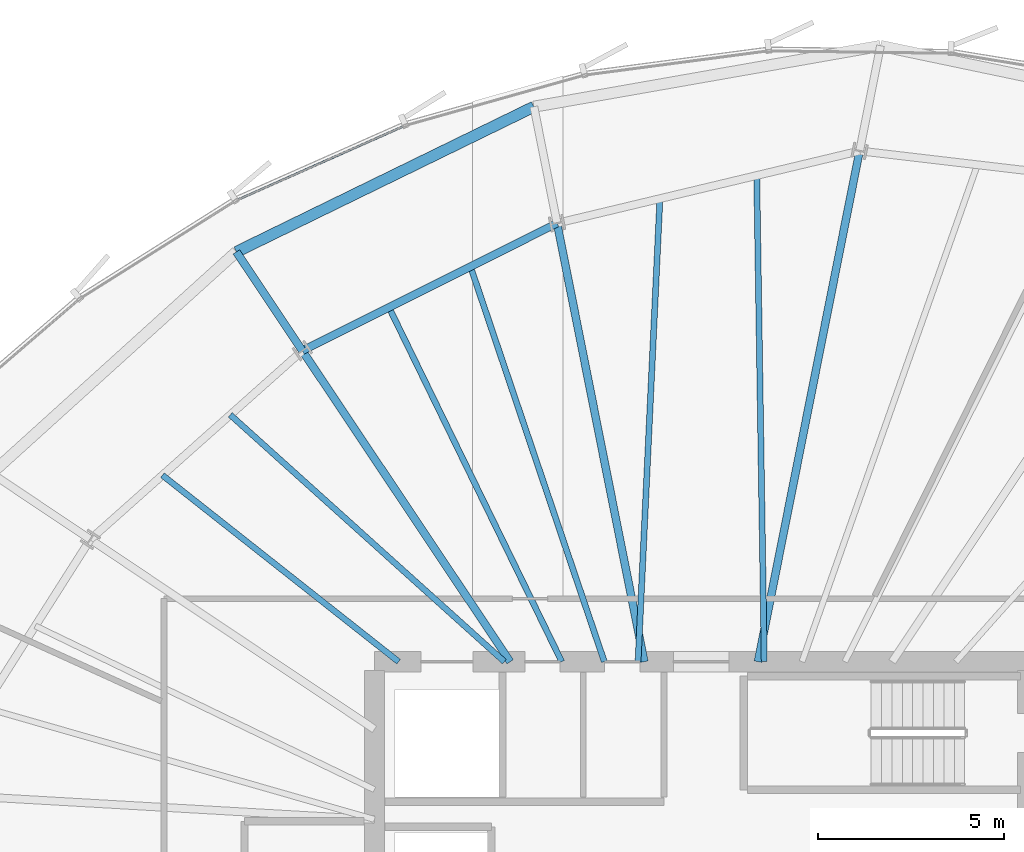
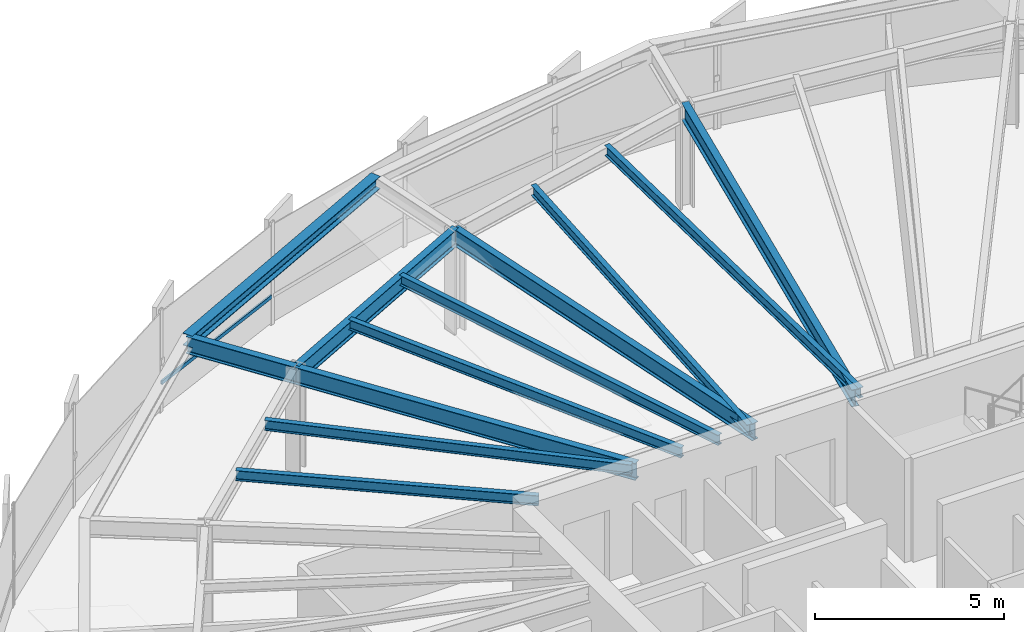
# One storey, part 20 of 33: 12 beams, 1 member, 1 element without a shape of its own.
"""IFC4 building model written with IfcOpenShell, lengths in metres."""

import ifcopenshell
import ifcopenshell.guid

model = None  # the IFC model being written
_history = None  # IfcOwnerHistory: only IFC2X3 demands one
_inside = {}  # id of a spatial element -> (the spatial element, [elements in it])
_under = {}  # id of a project, library or spatial element -> (it, [spatial elements below it])
_declared = {}  # id of a project -> (the project, [libraries it declares])
_typed = {}  # id of a type object -> (the type object, [elements of that type])
_made_of = {}  # id of a material, layer set ... -> (it, [elements and type objects made of it])


def new_model(schema):
    """Start an empty IFC model of exactly this schema.

    Asked for "IFC4X3", IfcOpenShell would pick the latest addendum, in which some entities
    have other attributes; the version numbers below select the first issue.
    IFC2X3 requires an IfcOwnerHistory on every rooted entity: one is made here for all.
    """
    global model, _history
    if schema == "IFC4X3":
        model = ifcopenshell.file(schema_version=(4, 3, 0, 0))
    else:
        model = ifcopenshell.file(schema=schema)
    _inside.clear()
    _under.clear()
    _declared.clear()
    _typed.clear()
    _made_of.clear()
    _history = None
    if model.schema == "IFC2X3":
        org = make("IfcOrganization", Name="unknown")
        user = make(
            "IfcPersonAndOrganization",
            ThePerson=make("IfcPerson", FamilyName="unknown"),
            TheOrganization=org,
        )
        app = make(
            "IfcApplication",
            ApplicationDeveloper=org,
            Version="unknown",
            ApplicationFullName="unknown",
            ApplicationIdentifier="unknown",
        )
        _history = make(
            "IfcOwnerHistory",
            OwningUser=user,
            OwningApplication=app,
            ChangeAction="ADDED",
            CreationDate=0,
        )
    return model


def make(cls, **values):
    """One entity of the class cls with the attributes given. An attribute that is None is left unset."""
    return model.create_entity(
        cls, **{name: value for name, value in values.items() if value is not None}
    )


def rooted(cls, **values):
    """An entity with a GlobalId (a new one), such as an element, a storey or a relation."""
    return make(cls, GlobalId=ifcopenshell.guid.new(), OwnerHistory=_history, **values)


def si_unit(unit_type, name, prefix=None):
    """IfcSIUnit, for example si_unit("LENGTHUNIT", "METRE", prefix="MILLI")."""
    return make("IfcSIUnit", UnitType=unit_type, Prefix=prefix, Name=name)


def assignment(units):
    """IfcUnitAssignment: the units of a project."""
    return None if units is None else make("IfcUnitAssignment", Units=units)


def point(xyz):
    """IfcCartesianPoint."""
    return None if xyz is None else make("IfcCartesianPoint", Coordinates=xyz)


def direction(xyz):
    """IfcDirection."""
    return None if xyz is None else make("IfcDirection", DirectionRatios=xyz)


def frame(location, z_axis=None, x_axis=None):
    """IfcAxis2Placement3D, a coordinate frame: its origin and axes. An axis left out is left unset."""
    return make(
        "IfcAxis2Placement3D",
        Location=point(location),
        Axis=direction(z_axis),
        RefDirection=direction(x_axis),
    )


def frame_2d(location, x_axis=None):
    """IfcAxis2Placement2D, a coordinate frame in the plane: its origin and x axis."""
    return make(
        "IfcAxis2Placement2D", Location=point(location), RefDirection=direction(x_axis)
    )


def origin():
    """The frame at (0, 0, 0) with its axes left unset."""
    return frame((0.0, 0.0, 0.0))


def origin_2d():
    """The frame at (0, 0) in the plane with its x axis left unset."""
    return frame_2d((0.0, 0.0))


def place(relative_to, where):
    """IfcLocalPlacement: puts the frame where relative to a parent placement (None: the world)."""
    return make(
        "IfcLocalPlacement", PlacementRelTo=relative_to, RelativePlacement=where
    )


def context(
    kind, dimensions, precision=None, world=None, true_north=None, identifier=None
):
    """IfcGeometricRepresentationContext, for example the 3D "Model" context."""
    return make(
        "IfcGeometricRepresentationContext",
        ContextIdentifier=identifier,
        ContextType=kind,
        CoordinateSpaceDimension=dimensions,
        Precision=precision,
        WorldCoordinateSystem=world,
        TrueNorth=true_north,
    )


def subcontext(parent, identifier, kind, view, scale=None):
    """IfcGeometricRepresentationSubContext, for example "Body" below "Model"."""
    return make(
        "IfcGeometricRepresentationSubContext",
        ContextIdentifier=identifier,
        ContextType=kind,
        ParentContext=parent,
        TargetScale=scale,
        TargetView=view,
    )


def project(units=None, contexts=None):
    """IfcProject with its units and contexts."""
    return rooted(
        "IfcProject",
        Name="project",
        RepresentationContexts=contexts,
        UnitsInContext=assignment(units),
    )


def spatial(cls, under=None, at=None, **own):
    """A site, building, storey or space (cls), placed at a placement, below another one or the project."""
    s = rooted(cls, ObjectPlacement=at, **own)
    if under is not None:
        _under.setdefault(under.id(), (under, []))[1].append(s)
    return s


def profile(cls, at=None, kind="AREA", **sizes):
    """A parametric profile (cls). Its sizes go by their IFC names, for example OverallWidth=200.0."""
    return make(cls, ProfileType=kind, Position=at, **sizes)


def hollow_rectangle(**sizes):
    """IfcRectangleHollowProfileDef."""
    return profile("IfcRectangleHollowProfileDef", **sizes)


def i_section(**sizes):
    """IfcIShapeProfileDef."""
    return profile("IfcIShapeProfileDef", **sizes)


def extrude(swept, where, along, depth):
    """IfcExtrudedAreaSolid: the profile swept, set in the frame where, extruded along a direction by depth."""
    return make(
        "IfcExtrudedAreaSolid",
        SweptArea=swept,
        Position=where,
        ExtrudedDirection=direction(along),
        Depth=depth,
    )


def shape(context_of_items, identifier, shape_type, items):
    """IfcShapeRepresentation: the items that make up one representation, for example the "Body"."""
    return make(
        "IfcShapeRepresentation",
        ContextOfItems=context_of_items,
        RepresentationIdentifier=identifier,
        RepresentationType=shape_type,
        Items=items,
    )


def source(mapping_origin, context_of_items, identifier, shape_type, items):
    """IfcRepresentationMap: a shape defined once, which mapped items show again and again."""
    return make(
        "IfcRepresentationMap",
        MappingOrigin=mapping_origin,
        MappedRepresentation=shape(context_of_items, identifier, shape_type, items),
    )


def transform(
    local_origin,
    x_axis=None,
    y_axis=None,
    z_axis=None,
    scale=None,
    scale2=None,
    scale3=None,
    uniform=True,
):
    """IfcCartesianTransformationOperator3D, or its non-uniform kind. x_axis, y_axis, z_axis: its Axis1, 2, 3."""
    if uniform:
        return make(
            "IfcCartesianTransformationOperator3D",
            Axis1=direction(x_axis),
            Axis2=direction(y_axis),
            LocalOrigin=point(local_origin),
            Scale=scale,
            Axis3=direction(z_axis),
        )
    return make(
        "IfcCartesianTransformationOperator3DnonUniform",
        Axis1=direction(x_axis),
        Axis2=direction(y_axis),
        LocalOrigin=point(local_origin),
        Scale=scale,
        Axis3=direction(z_axis),
        Scale2=scale2,
        Scale3=scale3,
    )


def mapped(mapping_source, mapping_target):
    """IfcMappedItem: shows the shape of a source again, moved by a transform."""
    return make(
        "IfcMappedItem", MappingSource=mapping_source, MappingTarget=mapping_target
    )


def material(Name=None, Category=None):
    """IfcMaterial."""
    return make("IfcMaterial", Name=Name, Category=Category)


def layer(
    of_material, thickness, ventilated=None, Name=None, Category=None, Priority=None
):
    """IfcMaterialLayer: one layer of a wall or slab, of a material (None: an air gap)."""
    return make(
        "IfcMaterialLayer",
        Material=of_material,
        LayerThickness=thickness,
        IsVentilated=ventilated,
        Name=Name,
        Category=Category,
        Priority=Priority,
    )


def layer_set(layers, Name=None):
    """IfcMaterialLayerSet."""
    return make("IfcMaterialLayerSet", MaterialLayers=layers, LayerSetName=Name)


def material_profile(
    of_material, cross_section, Name=None, Category=None, Priority=None
):
    """IfcMaterialProfile: a cross section and its material."""
    return make(
        "IfcMaterialProfile",
        Name=Name,
        Material=of_material,
        Profile=cross_section,
        Priority=Priority,
        Category=Category,
    )


def profile_set(profiles, Name=None, composite=None):
    """IfcMaterialProfileSet."""
    return make(
        "IfcMaterialProfileSet",
        Name=Name,
        MaterialProfiles=profiles,
        CompositeProfile=composite,
    )


def made_of(thing, what):
    """Note that an element or type object is made of a material, layer set ...; save() writes the relation."""
    if what is not None:
        _made_of.setdefault(what.id(), (what, []))[1].append(thing)
    return thing


def type_object(cls, material=None, **own):
    """A type object (cls), such as IfcWallType, which elements share."""
    return made_of(rooted(cls, **own), material)


def element(
    cls,
    number,
    at=None,
    inside=None,
    cuts=None,
    type_object=None,
    material=None,
    context=None,
    identifier="Body",
    shape_type=None,
    held_by="IfcProductDefinitionShape",
    body=None,
    shapes=None,
    **own,
):
    """One element of the class cls, such as IfcWall. Its Tag is "e" and its number.

    at: its placement. inside: the storey or other place that contains it. cuts: it is an
    opening in that element (IfcRelVoidsElement). A single representation is given by context,
    identifier, shape_type and body (its items); several are given by shapes. held_by: the class
    of the entity that holds the representations. save() writes the other relations.
    """
    e = rooted(cls, Tag="e%d" % number, ObjectPlacement=at, **own)
    if body is not None:
        shapes = [shape(context, identifier, shape_type, body)]
    if shapes is not None:
        e.Representation = make(held_by, Representations=shapes)
    if inside is not None:
        _inside.setdefault(inside.id(), (inside, []))[1].append(e)
    if cuts is not None:
        rooted(
            "IfcRelVoidsElement", RelatingBuildingElement=cuts, RelatedOpeningElement=e
        )
    if type_object is not None:
        _typed.setdefault(type_object.id(), (type_object, []))[1].append(e)
    return made_of(e, material)


def aggregate(whole, parts):
    """IfcRelAggregates: a whole, such as a stair, and the parts it consists of."""
    return rooted("IfcRelAggregates", RelatingObject=whole, RelatedObjects=parts)


def save(model, path):
    """Write the relations noted so far, then the file.

    IfcRelAggregates (storeys below a building ...), IfcRelContainedInSpatialStructure (elements
    in a storey), IfcRelDefinesByType, IfcRelAssociatesMaterial and IfcRelDeclares: one each for
    every whole, place, type object, material and project.
    """
    for whole, parts in _under.values():
        aggregate(whole, parts)
    for where, things in _inside.values():
        rooted(
            "IfcRelContainedInSpatialStructure",
            RelatedElements=things,
            RelatingStructure=where,
        )
    for kind, things in _typed.values():
        rooted("IfcRelDefinesByType", RelatedObjects=things, RelatingType=kind)
    for what, things in _made_of.values():
        rooted("IfcRelAssociatesMaterial", RelatedObjects=things, RelatingMaterial=what)
    for by, libraries in _declared.values():
        rooted("IfcRelDeclares", RelatingContext=by, RelatedDefinitions=libraries)
    model.write(path)


model = new_model("IFC4")

# Units and contexts
model_context = context("Model", 3, precision=1e-05, world=origin(), true_north=direction((0.0, 1.0)))
body_context = subcontext(model_context, "Body", "Model", "MODEL_VIEW")
ifc_project = project(units=[si_unit("LENGTHUNIT", "METRE"), si_unit("AREAUNIT", "SQUARE_METRE"), si_unit("VOLUMEUNIT", "CUBIC_METRE"), si_unit("PLANEANGLEUNIT", "RADIAN"), si_unit("MASSUNIT", "GRAM", prefix="KILO"), si_unit("THERMODYNAMICTEMPERATUREUNIT", "KELVIN")], contexts=[model_context])

# Site, building, storey
site_placement = place(None, origin())
site = spatial("IfcSite", under=ifc_project, at=site_placement, CompositionType="ELEMENT")
building_placement = place(site_placement, origin())
building = spatial("IfcBuilding", under=site, at=building_placement, Name="Kethvar Cultural Tower", CompositionType="ELEMENT")
storey_placement = place(building_placement, frame((0.0, 0.0, 114.39990234375)))
storey = spatial("IfcBuildingStorey", under=building, at=storey_placement, Name="L28", CompositionType="ELEMENT", Elevation=114.39990234375)

# Beams
ifc_material_1 = material(Name="Steel S355J2", Category="steel")
ifc_material_profile_1 = material_profile(ifc_material_1, i_section(OverallWidth=0.2099609375, OverallDepth=0.550048828125, WebThickness=0.010986328125, FlangeThickness=0.01708984375, FilletRadius=0.02392578125, at=origin_2d()), Name="Steel S355J2 — IPE550")
ifc_profile_set_1 = profile_set([ifc_material_profile_1], Name="Steel S355J2 — IPE550")
beam_type_1 = type_object("IfcBeamType", Name="BM-IPE550", PredefinedType="BEAM", material=ifc_profile_set_1)
shared_shape_1 = source(origin(), body_context, "Body", "SweptSolid", [
    extrude(i_section(OverallWidth=0.2099609375, OverallDepth=0.550048828125, WebThickness=0.010986328125, FlangeThickness=0.01708984375, FilletRadius=0.02392578125, at=origin_2d()), origin(), (0.0, 0.0, 1.0), 3.2001953125),
])
beam_1_placement = place(storey_placement, frame((36.0576171875, 43.877197265625, 3.072998046875), z_axis=(-0.555544970406, 0.831486491686, 0.0), x_axis=(-0.831486491686, -0.555544970406, 0.0)))
element("IfcBeam", 1, at=beam_1_placement, inside=storey, type_object=beam_type_1, Name="L28 Perimeter Cantilever Beam RC-06", PredefinedType="BEAM", context=body_context, shape_type="MappedRepresentation", body=[
    mapped(shared_shape_1, transform((0.0, 0.0, 0.0), scale=1.0)),
])
shared_shape_2 = source(origin(), body_context, "Body", "SweptSolid", [
    extrude(i_section(OverallWidth=0.2099609375, OverallDepth=0.550048828125, WebThickness=0.010986328125, FlangeThickness=0.01708984375, FilletRadius=0.02392578125, at=origin_2d()), origin(), (0.0, 0.0, 1.0), 14.02880859375),
])
beam_2_placement = place(storey_placement, frame((48.33154296875, 35.5, 3.072998046875), z_axis=(0.195101986683, 0.980782960085, 0.0), x_axis=(-0.980782960085, 0.195101986683, 0.0)))
element("IfcBeam", 2, at=beam_2_placement, inside=storey, type_object=beam_type_1, Name="L28 Primary Radial Beam RB-04", PredefinedType="BEAM", context=body_context, shape_type="MappedRepresentation", body=[
    mapped(shared_shape_2, transform((0.0, 0.0, 0.0), scale=1.0)),
])
shared_shape_3 = source(origin(), body_context, "Body", "SweptSolid", [
    extrude(i_section(OverallWidth=0.2099609375, OverallDepth=0.550048828125, WebThickness=0.010986328125, FlangeThickness=0.01708984375, FilletRadius=0.02392578125, at=origin_2d()), origin(), (0.0, 0.0, 1.0), 12.042724609375),
])
beam_3_placement = place(storey_placement, frame((45.268310546875, 35.5, 3.072998046875), z_axis=(-0.195086784047, 0.980785984142, 0.0), x_axis=(-0.980785984142, -0.195086784047, 0.0)))
element("IfcBeam", 3, at=beam_3_placement, inside=storey, type_object=beam_type_1, Name="L28 Primary Radial Beam RB-05", PredefinedType="BEAM", context=body_context, shape_type="MappedRepresentation", body=[
    mapped(shared_shape_3, transform((0.0, 0.0, 0.0), scale=1.0)),
])
shared_shape_4 = source(origin(), body_context, "Body", "SweptSolid", [
    extrude(i_section(OverallWidth=0.2099609375, OverallDepth=0.550048828125, WebThickness=0.010986328125, FlangeThickness=0.01708984375, FilletRadius=0.02392578125, at=origin_2d()), origin(), (0.0, 0.0, 1.0), 10.0751953125),
])
beam_4_placement = place(storey_placement, frame((41.655029296875, 35.5, 3.072998046875), z_axis=(-0.555566654614, 0.831472003305, 0.0), x_axis=(-0.831472003305, -0.555566654614, 0.0)))
element("IfcBeam", 4, at=beam_4_placement, inside=storey, type_object=beam_type_1, Name="L28 Primary Radial Beam RB-06", PredefinedType="BEAM", context=body_context, shape_type="MappedRepresentation", body=[
    mapped(shared_shape_4, transform((0.0, 0.0, 0.0), scale=1.0)),
])
ifc_material_profile_2 = material_profile(ifc_material_1, i_section(OverallWidth=0.159912109375, OverallDepth=0.330078125, WebThickness=0.007568359375, FlangeThickness=0.011474609375, FilletRadius=0.01806640625, at=origin_2d()), Name="Steel S355J2 — IPE330")
ifc_profile_set_2 = profile_set([ifc_material_profile_2], Name="Steel S355J2 — IPE330")
beam_type_2 = type_object("IfcBeamType", Name="BM-J330", PredefinedType="JOIST", material=ifc_profile_set_2)
shared_shape_5 = source(origin(), body_context, "Body", "SweptSolid", [
    extrude(i_section(OverallWidth=0.159912109375, OverallDepth=0.330078125, WebThickness=0.007568359375, FlangeThickness=0.011474609375, FilletRadius=0.01806640625, at=origin_2d()), origin(), (0.0, 0.0, 1.0), 13.098388671875),
])
beam_5_placement = place(storey_placement, frame((48.5, 35.5, 3.18310546875), z_axis=(-0.015451599057, 0.999880616917, 0.0), x_axis=(-0.999880616917, -0.015451599057, 0.0)))
element("IfcBeam", 5, at=beam_5_placement, inside=storey, type_object=beam_type_2, Name="L28 Composite Floor Joist J-04A", PredefinedType="JOIST", context=body_context, shape_type="MappedRepresentation", body=[
    mapped(shared_shape_5, transform((0.0, 0.0, 0.0), scale=1.0)),
])
shared_shape_6 = source(origin(), body_context, "Body", "SweptSolid", [
    extrude(i_section(OverallWidth=0.159912109375, OverallDepth=0.330078125, WebThickness=0.007568359375, FlangeThickness=0.011474609375, FilletRadius=0.01806640625, at=origin_2d()), origin(), (0.0, 0.0, 1.0), 12.487548828125),
])
beam_6_placement = place(storey_placement, frame((45.10009765625, 35.5, 3.18310546875), z_axis=(0.047214958818, 0.998884751943, 0.0), x_axis=(-0.998884751943, 0.047214958818, 0.0)))
element("IfcBeam", 6, at=beam_6_placement, inside=storey, type_object=beam_type_2, Name="L28 Composite Floor Joist J-04B", PredefinedType="JOIST", context=body_context, shape_type="MappedRepresentation", body=[
    mapped(shared_shape_6, transform((0.0, 0.0, 0.0), scale=1.0)),
])
shared_shape_7 = source(origin(), body_context, "Body", "SweptSolid", [
    extrude(i_section(OverallWidth=0.2099609375, OverallDepth=0.550048828125, WebThickness=0.010986328125, FlangeThickness=0.01708984375, FilletRadius=0.02392578125, at=origin_2d()), origin(), (0.0, 0.0, 1.0), 7.672607421875),
])
beam_7_placement = place(storey_placement, frame((42.9189453125, 47.311279296875, 3.072998046875), z_axis=(-0.894248932057, -0.447569935892, 0.0), x_axis=(0.447569935892, -0.894248932057, 0.0)))
element("IfcBeam", 7, at=beam_7_placement, inside=storey, type_object=beam_type_1, Name="L28 Column Ring Tie Beam CR-05", PredefinedType="BEAM", context=body_context, shape_type="MappedRepresentation", body=[
    mapped(shared_shape_7, transform((0.0, 0.0, 0.0), scale=1.0)),
])
shared_shape_8 = source(origin(), body_context, "Body", "SweptSolid", [
    extrude(i_section(OverallWidth=0.159912109375, OverallDepth=0.330078125, WebThickness=0.007568359375, FlangeThickness=0.011474609375, FilletRadius=0.01806640625, at=origin_2d()), origin(), (0.0, 0.0, 1.0), 11.23779296875),
])
beam_8_placement = place(storey_placement, frame((44.191650390625, 35.5, 3.18310546875), z_axis=(-0.32083186626, 0.94713616423, 0.0), x_axis=(-0.94713616423, -0.32083186626, 0.0)))
element("IfcBeam", 8, at=beam_8_placement, inside=storey, type_object=beam_type_2, Name="L28 Composite Floor Joist J-05A", PredefinedType="JOIST", context=body_context, shape_type="MappedRepresentation", body=[
    mapped(shared_shape_8, transform((0.0, 0.0, 0.0), scale=1.0)),
])
shared_shape_9 = source(origin(), body_context, "Body", "SweptSolid", [
    extrude(i_section(OverallWidth=0.159912109375, OverallDepth=0.330078125, WebThickness=0.007568359375, FlangeThickness=0.011474609375, FilletRadius=0.01806640625, at=origin_2d()), origin(), (0.0, 0.0, 1.0), 10.619384765625),
])
beam_9_placement = place(storey_placement, frame((43.044921875, 35.5, 3.18310546875), z_axis=(-0.438308125028, 0.898824781331, 0.0), x_axis=(-0.898824781331, -0.438308125028, 0.0)))
element("IfcBeam", 9, at=beam_9_placement, inside=storey, type_object=beam_type_2, Name="L28 Composite Floor Joist J-05B", PredefinedType="JOIST", context=body_context, shape_type="MappedRepresentation", body=[
    mapped(shared_shape_9, transform((0.0, 0.0, 0.0), scale=1.0)),
])
shared_shape_10 = source(origin(), body_context, "Body", "SweptSolid", [
    extrude(i_section(OverallWidth=0.159912109375, OverallDepth=0.330078125, WebThickness=0.007568359375, FlangeThickness=0.011474609375, FilletRadius=0.01806640625, at=origin_2d()), origin(), (0.0, 0.0, 1.0), 9.93701171875),
])
beam_10_placement = place(storey_placement, frame((41.5, 35.5, 3.18310546875), z_axis=(-0.743138974967, 0.669137103952, 0.0), x_axis=(-0.669137103952, -0.743138974967, 0.0)))
element("IfcBeam", 10, at=beam_10_placement, inside=storey, type_object=beam_type_2, Name="L28 Composite Floor Joist J-06A", PredefinedType="JOIST", context=body_context, shape_type="MappedRepresentation", body=[
    mapped(shared_shape_10, transform((0.0, 0.0, 0.0), scale=1.0)),
])
shared_shape_11 = source(origin(), body_context, "Body", "SweptSolid", [
    extrude(i_section(OverallWidth=0.159912109375, OverallDepth=0.330078125, WebThickness=0.007568359375, FlangeThickness=0.011474609375, FilletRadius=0.01806640625, at=origin_2d()), origin(), (0.0, 0.0, 1.0), 8.105712890625),
])
beam_11_placement = place(storey_placement, frame((38.64990234375, 35.5, 3.18310546875), z_axis=(-0.784895872164, 0.619627686486, 0.0), x_axis=(-0.619627686486, -0.784895872164, 0.0)))
element("IfcBeam", 11, at=beam_11_placement, inside=storey, type_object=beam_type_2, Name="L28 Composite Floor Joist J-06B", PredefinedType="JOIST", context=body_context, shape_type="MappedRepresentation", body=[
    mapped(shared_shape_11, transform((0.0, 0.0, 0.0), scale=1.0)),
])
ifc_material_profile_3 = material_profile(ifc_material_1, i_section(OverallWidth=0.300048828125, OverallDepth=0.39990234375, WebThickness=0.013427734375, FlangeThickness=0.02392578125, FilletRadius=0.027099609375, at=origin_2d()), Name="Steel S355J2 — HEB400")
ifc_profile_set_3 = profile_set([ifc_material_profile_3], Name="Steel S355J2 — HEB400")
beam_type_3 = type_object("IfcBeamType", Name="BM-SP400", PredefinedType="SPANDREL", material=ifc_profile_set_3)
shared_shape_12 = source(origin(), body_context, "Body", "SweptSolid", [
    extrude(i_section(OverallWidth=0.300048828125, OverallDepth=0.39990234375, WebThickness=0.013427734375, FlangeThickness=0.02392578125, FilletRadius=0.027099609375, at=origin_2d()), origin(), (0.0, 0.0, 1.0), 8.91845703125),
])
beam_12_placement = place(storey_placement, frame((42.294677734375, 50.44970703125, 3.148193359375), z_axis=(-0.898683713341, -0.438597290662, 0.0), x_axis=(0.438597290662, -0.898683713341, 0.0)))
element("IfcBeam", 12, at=beam_12_placement, inside=storey, type_object=beam_type_3, Name="L28 Perimeter Spandrel Beam SP-05", PredefinedType="SPANDREL", context=body_context, shape_type="MappedRepresentation", body=[
    mapped(shared_shape_12, transform((0.0, 0.0, 0.0), scale=1.0)),
])

# Curtain wall, member
ifc_material_2 = material(Name="Aluminium 6063-T6", Category="aluminium")
ifc_layer = layer(ifc_material_2, 0.179931640625, Name="Aluminium 6063-T6", Category="aluminium")
ifc_layer_set = layer_set([ifc_layer], Name="Aluminium 6063-T6 (180 mm)")
curtain_wall_type = type_object("IfcCurtainWallType", Name="CW-SYS-03-Z2", PredefinedType="NOTDEFINED", material=ifc_layer_set)
curtain_wall_placement = place(storey_placement, origin())
curtain_wall = element("IfcCurtainWall", 13, at=curtain_wall_placement, inside=storey, type_object=curtain_wall_type, Name="L28 Curtain Wall Run 02", PredefinedType="NOTDEFINED")
ifc_material_profile_4 = material_profile(ifc_material_2, hollow_rectangle(XDim=0.054931640625, YDim=0.1201171875, WallThickness=0.00390625, at=origin_2d()), Name="Aluminium 6063-T6 — RHS120x55x4")
ifc_profile_set_4 = profile_set([ifc_material_profile_4], Name="Aluminium 6063-T6 — RHS120x55x4")
member_type = type_object("IfcMemberType", Name="CW-SYS-03-Z2-TRN", PredefinedType="USERDEFINED", material=ifc_profile_set_4)
shared_shape_13 = source(origin(), body_context, "Body", "SweptSolid", [
    extrude(hollow_rectangle(XDim=0.054931640625, YDim=0.1201171875, WallThickness=0.00390625, at=origin_2d()), origin(), (0.0, 0.0, 1.0), 4.93603515625),
])
member_placement = place(storey_placement, frame((38.796142578125, 49.9287109375, 0.9501953125), z_axis=(-0.914235292028, -0.405183700081, 0.0), x_axis=(0.405183700081, -0.914235292028, 0.0)))
member = element("IfcMember", 14, at=member_placement, type_object=member_type, Name="CW-L28-R02 Transom 4", ObjectType="TRANSOM", PredefinedType="USERDEFINED", context=body_context, shape_type="MappedRepresentation", body=[
    mapped(shared_shape_13, transform((0.0, 0.0, 0.0), scale=1.0)),
])
aggregate(curtain_wall, [member])

save(model, "model.ifc")
